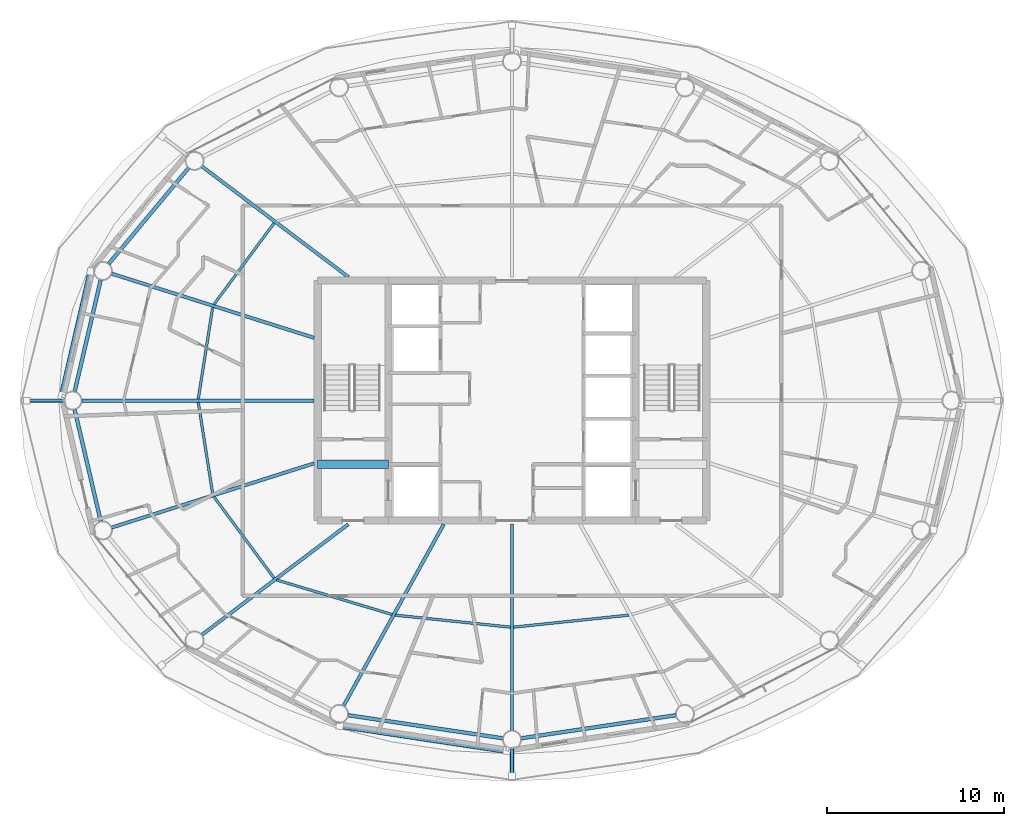
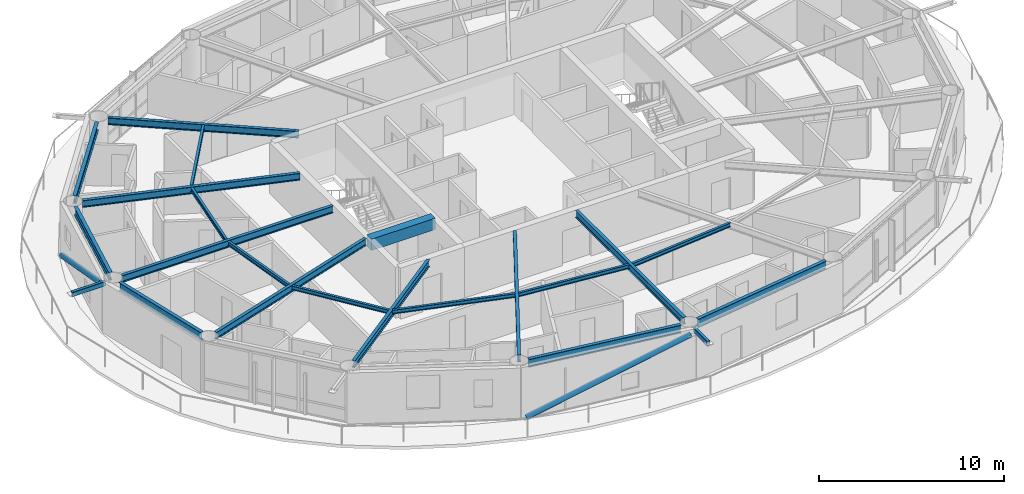
# One storey, part 4 of 23: 20 beams, 4 members.
"""IFC4 building model written with IfcOpenShell, lengths in metres."""

from ifc_helpers import new_model, si_unit, direction, frame, origin, origin_2d, place, context, subcontext, project, spatial, rectangle, hollow_rectangle, hollow_circle, i_section, extrude, material, material_profile, profile_set, type_object, element, save


model = new_model("IFC4")

# Units and contexts
model_context = context("Model", 3, precision=1e-05, world=origin(), true_north=direction((0.0, 1.0)))
body_context = subcontext(model_context, "Body", "Model", "MODEL_VIEW")
ifc_project = project(units=[si_unit("LENGTHUNIT", "METRE"), si_unit("AREAUNIT", "SQUARE_METRE"), si_unit("VOLUMEUNIT", "CUBIC_METRE"), si_unit("PLANEANGLEUNIT", "RADIAN"), si_unit("MASSUNIT", "GRAM", prefix="KILO")], contexts=[model_context])

# Site, building, storey
site_placement = place(None, origin())
site = spatial("IfcSite", under=ifc_project, at=site_placement, CompositionType="ELEMENT")
building_placement = place(site_placement, origin())
building = spatial("IfcBuilding", under=site, at=building_placement, Name="Sarneth Arch Tower", CompositionType="ELEMENT")
storey_placement = place(building_placement, frame((0.0, 0.0, 242.39990234375)))
storey = spatial("IfcBuildingStorey", under=building, at=storey_placement, Name="L62", CompositionType="ELEMENT", Elevation=242.39990234375)

# Beams
ifc_material_1 = material(Name="Steel S355", Category="steel")
ifc_material_profile_1 = material_profile(ifc_material_1, i_section(OverallWidth=0.14794921875, OverallDepth=0.26611328125, WebThickness=0.007568359375, FlangeThickness=0.012939453125, FilletRadius=0.012939453125, at=origin_2d()), Name="W250x44.8")
ifc_profile_set_1 = profile_set([ifc_material_profile_1], Name="Steel S355")
beam_type_1 = type_object("IfcBeamType", Name="BM-JOIST-250", PredefinedType="JOIST", material=ifc_profile_set_1)
beam_1_placement = place(storey_placement, frame((34.53076171875, 52.052734375, 3.22705078125), z_axis=(-0.594853468946, -0.803834156081, 0.0), x_axis=(0.803834156081, -0.594853468946, 0.0)))
element("IfcBeam", 1, at=beam_1_placement, inside=storey, type_object=beam_type_1, Name="L62 Secondary floor joist 07", PredefinedType="JOIST", context=body_context, shape_type="SweptSolid", body=[
    extrude(i_section(OverallWidth=0.14794921875, OverallDepth=0.26611328125, WebThickness=0.007568359375, FlangeThickness=0.012939453125, FilletRadius=0.012939453125, at=origin_2d()), origin(), (0.0, 0.0, 1.0), 5.72900390625),
])
for number, where, z_axis, x_axis, name in (
    (2, (31.05078125, 47.275390625, 3.22705078125), (-0.155393595615, -0.987852635995, 0.0), (0.987852635995, -0.155393595615, 0.0), "L62 Secondary floor joist 08"),
    (3, (30.23583984375, 41.9052734375, 3.22705078125), (0.155393595615, -0.987852635995, 0.0), (0.987852635995, 0.155393595615, 0.0), "L62 Secondary floor joist 09"),
):
    element("IfcBeam", number, at=place(storey_placement, frame(where, z_axis=z_axis, x_axis=x_axis)), inside=storey, type_object=beam_type_1, Name=name, PredefinedType="JOIST", context=body_context, shape_type="SweptSolid", body=[
        extrude(i_section(OverallWidth=0.14794921875, OverallDepth=0.26611328125, WebThickness=0.007568359375, FlangeThickness=0.012939453125, FilletRadius=0.012939453125, at=origin_2d()), origin(), (0.0, 0.0, 1.0), 5.244384765625),
    ])
beam_2_placement = place(storey_placement, frame((31.122802734375, 36.552490234375, 3.22705078125), z_axis=(0.594853468946, -0.803834156081, 0.0), x_axis=(0.803834156081, 0.594853468946, 0.0)))
element("IfcBeam", 4, at=beam_2_placement, inside=storey, type_object=beam_type_1, Name="L62 Secondary floor joist 10", PredefinedType="JOIST", context=body_context, shape_type="SweptSolid", body=[
    extrude(i_section(OverallWidth=0.14794921875, OverallDepth=0.26611328125, WebThickness=0.007568359375, FlangeThickness=0.012939453125, FilletRadius=0.012939453125, at=origin_2d()), origin(), (0.0, 0.0, 1.0), 5.72900390625),
])
beam_3_placement = place(storey_placement, frame((34.679931640625, 31.842529296875, 3.22705078125), z_axis=(0.957984908347, -0.286818610589, 0.0), x_axis=(0.286818610589, 0.957984908347, 0.0)))
element("IfcBeam", 5, at=beam_3_placement, inside=storey, type_object=beam_type_1, Name="L62 Secondary floor joist 11", PredefinedType="JOIST", context=body_context, shape_type="SweptSolid", body=[
    extrude(i_section(OverallWidth=0.14794921875, OverallDepth=0.26611328125, WebThickness=0.007568359375, FlangeThickness=0.012939453125, FilletRadius=0.012939453125, at=origin_2d()), origin(), (0.0, 0.0, 1.0), 6.81396484375),
])
for number, where, z_axis, x_axis, name in (
    (6, (41.39501953125, 29.8505859375, 3.22705078125), (0.994616086198, -0.103628379682, 0.0), (0.103628379682, 0.994616086198, 0.0), "L62 Secondary floor joist 12"),
    (7, (48.095458984375, 29.17236328125, 3.22705078125), (0.994616086198, 0.103628379682, 0.0), (-0.103628379682, 0.994616086198, 0.0), "L62 Secondary floor joist 13"),
):
    element("IfcBeam", number, at=place(storey_placement, frame(where, z_axis=z_axis, x_axis=x_axis)), inside=storey, type_object=beam_type_1, Name=name, PredefinedType="JOIST", context=body_context, shape_type="SweptSolid", body=[
        extrude(i_section(OverallWidth=0.14794921875, OverallDepth=0.26611328125, WebThickness=0.007568359375, FlangeThickness=0.012939453125, FilletRadius=0.012939453125, at=origin_2d()), origin(), (0.0, 0.0, 1.0), 6.544677734375),
    ])
ifc_material_2 = material(Name="Concrete C50/60", Category="concrete")
ifc_material_profile_2 = material_profile(ifc_material_2, rectangle(XDim=0.5, YDim=0.75, at=origin_2d()), Name="RC-500x750")
ifc_profile_set_2 = profile_set([ifc_material_profile_2], Name="Concrete C50/60")
beam_type_2 = type_object("IfcBeamType", Name="BM-LINTEL-RC", PredefinedType="LINTEL", material=ifc_profile_set_2)
beam_4_placement = place(storey_placement, frame((37.0, 38.39990234375, 2.985107421875), z_axis=(1.0, 0.0, 0.0), x_axis=(0.0, 1.0, 0.0)))
element("IfcBeam", 8, at=beam_4_placement, inside=storey, type_object=beam_type_2, Name="L62 Core coupling lintel W", PredefinedType="LINTEL", context=body_context, shape_type="SweptSolid", body=[
    extrude(rectangle(XDim=0.5, YDim=0.75, at=origin_2d()), origin(), (0.0, 0.0, 1.0), 4.0),
])
ifc_material_3 = material(Name="Steel S355", Category="steel")
ifc_material_profile_3 = material_profile(ifc_material_3, i_section(OverallWidth=0.19189453125, OverallDepth=0.462890625, WebThickness=0.010498046875, FlangeThickness=0.017578125, FilletRadius=0.01806640625, at=origin_2d()), Name="W460x89")
ifc_profile_set_3 = profile_set([ifc_material_profile_3], Name="Steel S355")
beam_type_3 = type_object("IfcBeamType", Name="BM-RAD-460B", PredefinedType="BEAM", material=ifc_profile_set_3)
beam_5_placement = place(storey_placement, frame((38.73193359375, 49.0, 3.128662109375), z_axis=(-0.79797308069, 0.60269309146, 0.0), x_axis=(-0.60269309146, -0.79797308069, 0.0)))
element("IfcBeam", 9, at=beam_5_placement, inside=storey, type_object=beam_type_3, Name="L62 Radial floor girder 07", PredefinedType="BEAM", context=body_context, shape_type="SweptSolid", body=[
    extrude(i_section(OverallWidth=0.19189453125, OverallDepth=0.462890625, WebThickness=0.010498046875, FlangeThickness=0.017578125, FilletRadius=0.01806640625, at=origin_2d()), origin(), (0.0, 0.0, 1.0), 10.38671875),
])
beam_6_placement = place(storey_placement, frame((36.800048828125, 45.5517578125, 3.128662109375), z_axis=(-0.953216092177, 0.302289731243, 0.0), x_axis=(-0.302289731243, -0.953216092177, 0.0)))
element("IfcBeam", 10, at=beam_6_placement, inside=storey, type_object=beam_type_3, Name="L62 Radial floor girder 08", PredefinedType="BEAM", context=body_context, shape_type="SweptSolid", body=[
    extrude(i_section(OverallWidth=0.19189453125, OverallDepth=0.462890625, WebThickness=0.010498046875, FlangeThickness=0.017578125, FilletRadius=0.01806640625, at=origin_2d()), origin(), (0.0, 0.0, 1.0), 12.031494140625),
])
beam_7_placement = place(storey_placement, frame((36.800048828125, 42.0, 3.128662109375), z_axis=(-1.0, 0.0, 0.0), x_axis=(0.0, -1.0, 0.0)))
element("IfcBeam", 11, at=beam_7_placement, inside=storey, type_object=beam_type_3, Name="L62 Radial floor girder 09", PredefinedType="BEAM", context=body_context, shape_type="SweptSolid", body=[
    extrude(i_section(OverallWidth=0.19189453125, OverallDepth=0.462890625, WebThickness=0.010498046875, FlangeThickness=0.017578125, FilletRadius=0.01806640625, at=origin_2d()), origin(), (0.0, 0.0, 1.0), 13.158203125),
])
beam_8_placement = place(storey_placement, frame((36.800048828125, 38.4482421875, 3.128662109375), z_axis=(-0.953216092177, -0.302289731243, 0.0), x_axis=(0.302289731243, -0.953216092177, 0.0)))
element("IfcBeam", 12, at=beam_8_placement, inside=storey, type_object=beam_type_3, Name="L62 Radial floor girder 10", PredefinedType="BEAM", context=body_context, shape_type="SweptSolid", body=[
    extrude(i_section(OverallWidth=0.19189453125, OverallDepth=0.462890625, WebThickness=0.010498046875, FlangeThickness=0.017578125, FilletRadius=0.01806640625, at=origin_2d()), origin(), (0.0, 0.0, 1.0), 12.031494140625),
])
beam_9_placement = place(storey_placement, frame((38.73193359375, 35.0, 3.128662109375), z_axis=(-0.79797308069, -0.60269309146, 0.0), x_axis=(0.60269309146, -0.79797308069, 0.0)))
element("IfcBeam", 13, at=beam_9_placement, inside=storey, type_object=beam_type_3, Name="L62 Radial floor girder 11", PredefinedType="BEAM", context=body_context, shape_type="SweptSolid", body=[
    extrude(i_section(OverallWidth=0.19189453125, OverallDepth=0.462890625, WebThickness=0.010498046875, FlangeThickness=0.017578125, FilletRadius=0.01806640625, at=origin_2d()), origin(), (0.0, 0.0, 1.0), 10.38671875),
])
beam_10_placement = place(storey_placement, frame((44.13623046875, 35.0, 3.128662109375), z_axis=(-0.483225760768, -0.875495781903, 0.0), x_axis=(0.875495781903, -0.483225760768, 0.0)))
element("IfcBeam", 14, at=beam_10_placement, inside=storey, type_object=beam_type_3, Name="L62 Radial floor girder 12", PredefinedType="BEAM", context=body_context, shape_type="SweptSolid", body=[
    extrude(i_section(OverallWidth=0.19189453125, OverallDepth=0.462890625, WebThickness=0.010498046875, FlangeThickness=0.017578125, FilletRadius=0.01806640625, at=origin_2d()), origin(), (0.0, 0.0, 1.0), 11.740478515625),
])
beam_11_placement = place(storey_placement, frame((48.0, 35.0, 3.128662109375), z_axis=(0.0, -1.0, 0.0), x_axis=(1.0, 0.0, 0.0)))
element("IfcBeam", 15, at=beam_11_placement, inside=storey, type_object=beam_type_3, Name="L62 Radial floor girder 13", PredefinedType="BEAM", context=body_context, shape_type="SweptSolid", body=[
    extrude(i_section(OverallWidth=0.19189453125, OverallDepth=0.462890625, WebThickness=0.010498046875, FlangeThickness=0.017578125, FilletRadius=0.01806640625, at=origin_2d()), origin(), (0.0, 0.0, 1.0), 11.675048828125),
])
ifc_material_4 = material(Name="Steel S355", Category="steel")
ifc_material_profile_4 = material_profile(ifc_material_4, i_section(OverallWidth=0.2109375, OverallDepth=0.5390625, WebThickness=0.01171875, FlangeThickness=0.018798828125, FilletRadius=0.01806640625, at=origin_2d()), Name="W530x109")
ifc_profile_set_4 = profile_set([ifc_material_profile_4], Name="Steel S355")
beam_type_4 = type_object("IfcBeamType", Name="BM-RAD-530B", PredefinedType="BEAM", material=ifc_profile_set_4)
beam_12_placement = place(storey_placement, frame((29.6884765625, 55.17333984375, 3.090576171875), z_axis=(-0.640364654985, -0.76807103099, 0.0), x_axis=(0.76807103099, -0.640364654985, 0.0)))
element("IfcBeam", 16, at=beam_12_placement, inside=storey, type_object=beam_type_4, Name="L62 Perimeter spandrel beam 07", PredefinedType="BEAM", context=body_context, shape_type="SweptSolid", body=[
    extrude(i_section(OverallWidth=0.2109375, OverallDepth=0.5390625, WebThickness=0.01171875, FlangeThickness=0.018798828125, FilletRadius=0.01806640625, at=origin_2d()), origin(), (0.0, 0.0, 1.0), 7.06005859375),
])
for number, where, z_axis, x_axis, name in (
    (17, (24.7119140625, 48.836181640625, 3.090576171875), (-0.227230803906, -0.973840932471, 0.0), (0.973840932471, -0.227230803906, 0.0), "L62 Perimeter spandrel beam 08"),
    (18, (23.236083984375, 41.48876953125, 3.090576171875), (0.227230803906, -0.973840932471, 0.0), (0.973840932471, 0.227230803906, 0.0), "L62 Perimeter spandrel beam 09"),
):
    element("IfcBeam", number, at=place(storey_placement, frame(where, z_axis=z_axis, x_axis=x_axis)), inside=storey, type_object=beam_type_4, Name=name, PredefinedType="BEAM", context=body_context, shape_type="SweptSolid", body=[
        extrude(i_section(OverallWidth=0.2109375, OverallDepth=0.5390625, WebThickness=0.01171875, FlangeThickness=0.018798828125, FilletRadius=0.01806640625, at=origin_2d()), origin(), (0.0, 0.0, 1.0), 6.494873046875),
    ])
for number, where, z_axis, x_axis, name in (
    (19, (38.728515625, 24.18408203125, 3.090576171875), (0.989038715098, -0.147656425652, 0.0), (0.147656425652, 0.989038715098, 0.0), "L62 Perimeter spandrel beam 12"),
    (20, (48.519287109375, 22.87744140625, 3.090576171875), (0.989038715098, 0.147656425652, 0.0), (-0.147656425652, 0.989038715098, 0.0), "L62 Perimeter spandrel beam 13"),
):
    element("IfcBeam", number, at=place(storey_placement, frame(where, z_axis=z_axis, x_axis=x_axis)), inside=storey, type_object=beam_type_4, Name=name, PredefinedType="BEAM", context=body_context, shape_type="SweptSolid", body=[
        extrude(i_section(OverallWidth=0.2109375, OverallDepth=0.5390625, WebThickness=0.01171875, FlangeThickness=0.018798828125, FilletRadius=0.01806640625, at=origin_2d()), origin(), (0.0, 0.0, 1.0), 8.84912109375),
    ])

# Members
ifc_material_5 = material(Name="Steel S355", Category="steel")
ifc_material_profile_5 = material_profile(ifc_material_5, hollow_rectangle(XDim=0.199951171875, YDim=0.300048828125, WallThickness=0.012451171875, InnerFilletRadius=0.018798828125, OuterFilletRadius=0.03125, at=origin_2d()), Name="RHS300x200x12.5")
ifc_profile_set_5 = profile_set([ifc_material_profile_5], Name="Steel S355")
member_type_1 = type_object("IfcMemberType", Name="MEM-CANT-STRUT", PredefinedType="STRUT", material=ifc_profile_set_5)
member_1_placement = place(storey_placement, frame((22.591796875, 42.0, 3.2001953125), z_axis=(-1.0, 0.0, 0.0), x_axis=(0.0, -1.0, 0.0)))
element("IfcMember", 21, at=member_1_placement, inside=storey, type_object=member_type_1, Name="L62 Balcony cantilever bracket 09", PredefinedType="STRUT", context=body_context, shape_type="SweptSolid", body=[
    extrude(hollow_rectangle(XDim=0.199951171875, YDim=0.300048828125, WallThickness=0.012451171875, InnerFilletRadius=0.018798828125, OuterFilletRadius=0.03125, at=origin_2d()), origin(), (0.0, 0.0, 1.0), 2.07421875),
])
member_2_placement = place(storey_placement, frame((48.0, 22.27490234375, 3.2001953125), z_axis=(0.0, -1.0, 0.0), x_axis=(1.0, 0.0, 0.0)))
element("IfcMember", 22, at=member_2_placement, inside=storey, type_object=member_type_1, Name="L62 Balcony cantilever bracket 13", PredefinedType="STRUT", context=body_context, shape_type="SweptSolid", body=[
    extrude(hollow_rectangle(XDim=0.199951171875, YDim=0.300048828125, WallThickness=0.012451171875, InnerFilletRadius=0.018798828125, OuterFilletRadius=0.03125, at=origin_2d()), origin(), (0.0, 0.0, 1.0), 1.525634765625),
])
ifc_material_6 = material(Name="Steel S355", Category="steel")
ifc_material_profile_6 = material_profile(ifc_material_6, hollow_circle(Radius=0.162109375, WallThickness=0.012451171875, at=origin_2d()), Name="CHS324x12.5")
ifc_profile_set_6 = profile_set([ifc_material_profile_6], Name="Steel S355")
member_type_2 = type_object("IfcMemberType", Name="MEM-DIAG-BR3", PredefinedType="BRACE", material=ifc_profile_set_6)
member_3_placement = place(storey_placement, frame((24.148193359375, 49.3154296875, 0.02001953125), z_axis=(-0.207917989892, -0.898749333617, 0.386030756289), x_axis=(0.974268900284, -0.225388797281, 0.0)))
element("IfcMember", 23, at=member_3_placement, inside=storey, type_object=member_type_2, Name="L62 Perimeter frame diagonal 08", PredefinedType="BRACE", context=body_context, shape_type="SweptSolid", body=[
    extrude(hollow_circle(Radius=0.162109375, WallThickness=0.012451171875, at=origin_2d()), origin(), (0.0, 0.0, 1.0), 7.814453125),
])
member_4_placement = place(storey_placement, frame((38.245849609375, 23.588623046875, 0.02001953125), z_axis=(0.943056107878, -0.142001297879, 0.300800280576), x_axis=(0.148897148305, 0.988852688335, 0.0)))
element("IfcMember", 24, at=member_4_placement, inside=storey, type_object=member_type_2, Name="L62 Perimeter frame diagonal 12", PredefinedType="BRACE", context=body_context, shape_type="SweptSolid", body=[
    extrude(hollow_circle(Radius=0.162109375, WallThickness=0.012451171875, at=origin_2d()), origin(), (0.0, 0.0, 1.0), 10.028564453125),
])

save(model, "model.ifc")
